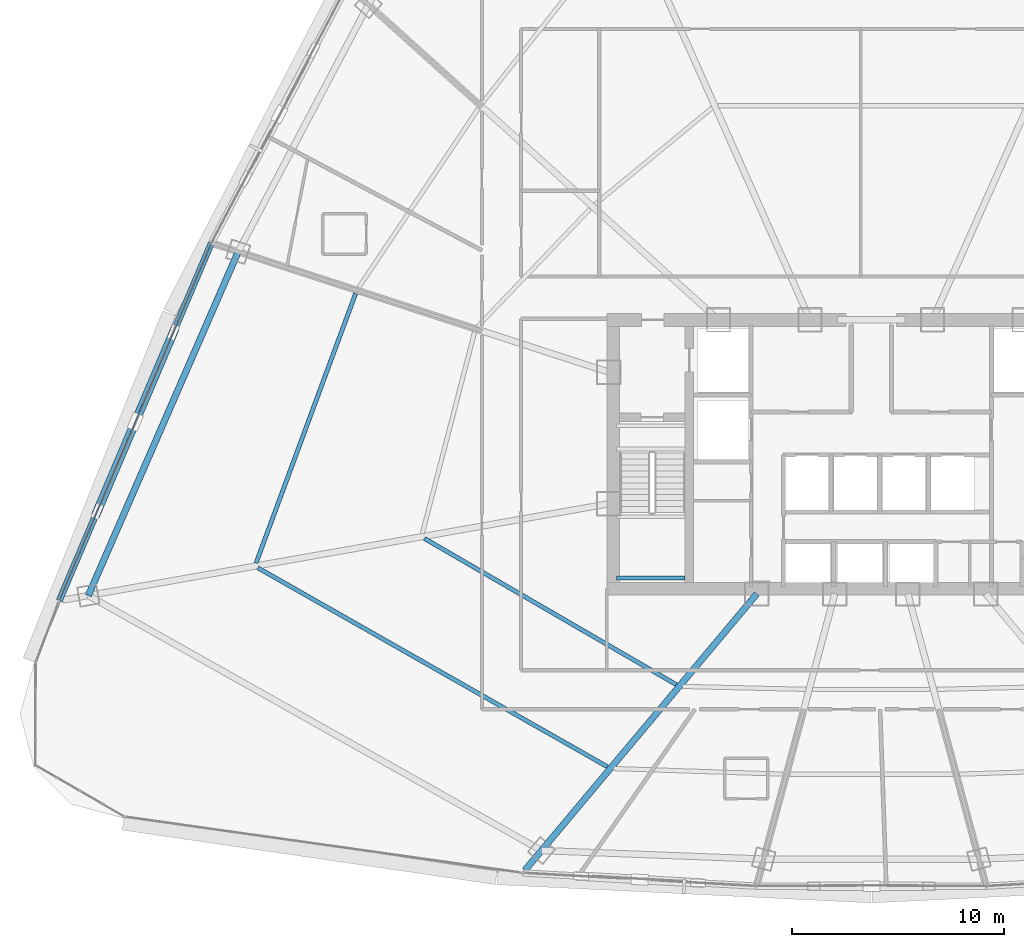
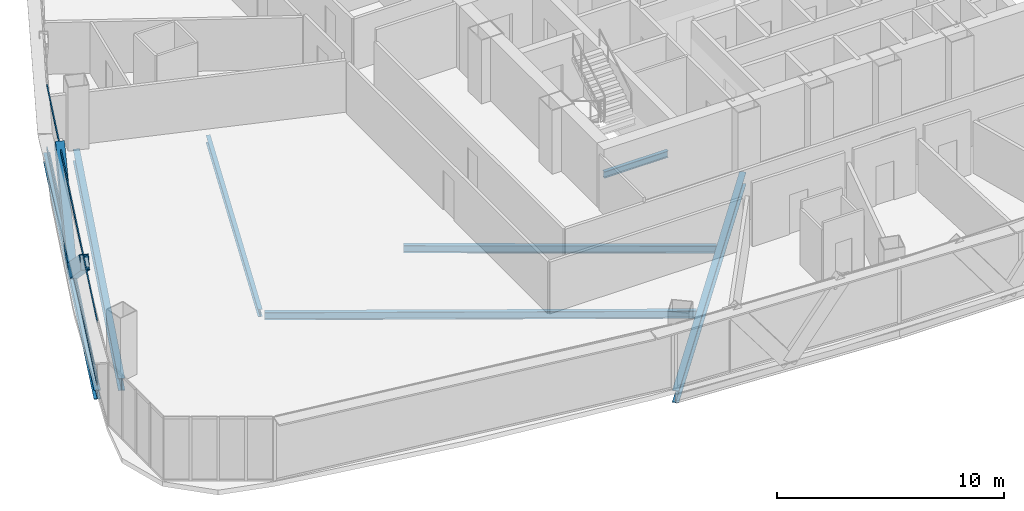
# One storey, part 7 of 42: 7 beams, 4 members, 1 element without a shape of its own.
"""IFC4 building model written with IfcOpenShell, lengths in metres."""

from ifc_helpers import new_model, si_unit, direction, frame, origin, origin_2d, place, context, subcontext, project, spatial, hollow_rectangle, i_section, extrude, source, transform, mapped, material, layer, layer_set, material_profile, profile_set, type_object, element, aggregate, save


model = new_model("IFC4")

# Units and contexts
model_context = context("Model", 3, precision=1e-05, world=origin(), true_north=direction((0.0, 1.0)))
body_context = subcontext(model_context, "Body", "Model", "MODEL_VIEW")
ifc_project = project(units=[si_unit("LENGTHUNIT", "METRE"), si_unit("AREAUNIT", "SQUARE_METRE"), si_unit("VOLUMEUNIT", "CUBIC_METRE"), si_unit("PLANEANGLEUNIT", "RADIAN"), si_unit("MASSUNIT", "GRAM", prefix="KILO"), si_unit("THERMODYNAMICTEMPERATUREUNIT", "KELVIN"), si_unit("POWERUNIT", "WATT")], contexts=[model_context])

# Site, building, storey
site_placement = place(None, origin())
site = spatial("IfcSite", under=ifc_project, at=site_placement, CompositionType="ELEMENT")
building_placement = place(site_placement, origin())
building = spatial("IfcBuilding", under=site, at=building_placement, Name="Yunzhuo Pagoda Commons", CompositionType="ELEMENT")
storey_placement = place(building_placement, frame((0.0, 0.0, 151.909912109375)))
storey = spatial("IfcBuildingStorey", under=building, at=storey_placement, Name="L38", CompositionType="ELEMENT", Elevation=151.909912109375)

# Beams
ifc_material_1 = material(Name="Structural steel Q355B", Category="steel")
ifc_material_profile_1 = material_profile(ifc_material_1, i_section(OverallWidth=0.175048828125, OverallDepth=0.35009765625, WebThickness=0.007080078125, FlangeThickness=0.010986328125, at=origin_2d()), Name="Structural steel Q355B")
ifc_profile_set_1 = profile_set([ifc_material_profile_1], Name="Structural steel Q355B")
beam_type_1 = type_object("IfcBeamType", Name="B-JS2 Joist HN 350x175x7x11", PredefinedType="JOIST", material=ifc_profile_set_1)
shared_shape_1 = source(origin(), body_context, "Body", "SweptSolid", [
    extrude(i_section(OverallWidth=0.175048828125, OverallDepth=0.35009765625, WebThickness=0.007080078125, FlangeThickness=0.010986328125, at=origin_2d()), origin(), (0.0, 0.0, 1.0), 3.25),
])
beam_1_placement = place(storey_placement, frame((35.949951171875, 28.0, 1.465087890625), z_axis=(1.0, 0.0, 0.0), x_axis=(0.0, 1.0, 0.0)))
element("IfcBeam", 1, at=beam_1_placement, inside=storey, type_object=beam_type_1, Name="L38 ST1 landing support beam 44A", PredefinedType="JOIST", context=body_context, shape_type="MappedRepresentation", body=[
    mapped(shared_shape_1, transform((0.0, 0.0, 0.0), scale=1.0)),
])
ifc_material_profile_2 = material_profile(ifc_material_1, i_section(OverallWidth=0.199951171875, OverallDepth=0.39990234375, WebThickness=0.008056640625, FlangeThickness=0.012939453125, at=origin_2d()), Name="Structural steel Q355B")
ifc_profile_set_2 = profile_set([ifc_material_profile_2], Name="Structural steel Q355B")
beam_type_2 = type_object("IfcBeamType", Name="B-JS1 Joist HN 400x200x8x13", PredefinedType="JOIST", material=ifc_profile_set_2)
shared_shape_2 = source(origin(), body_context, "Body", "SweptSolid", [
    extrude(i_section(OverallWidth=0.199951171875, OverallDepth=0.39990234375, WebThickness=0.008056640625, FlangeThickness=0.012939453125, at=origin_2d()), origin(), (0.0, 0.0, 1.0), 13.76416015625),
])
beam_2_placement = place(storey_placement, frame((26.882568359375, 29.87255859375, -0.4599609375), z_axis=(0.864967288101, -0.501828248025, 0.0), x_axis=(0.501828248025, 0.864967288101, 0.0)))
element("IfcBeam", 2, at=beam_2_placement, inside=storey, type_object=beam_type_2, Name="L38 composite ring joist 1.12", PredefinedType="JOIST", context=body_context, shape_type="MappedRepresentation", body=[
    mapped(shared_shape_2, transform((0.0, 0.0, 0.0), scale=1.0)),
])
shared_shape_3 = source(origin(), body_context, "Body", "SweptSolid", [
    extrude(i_section(OverallWidth=0.199951171875, OverallDepth=0.39990234375, WebThickness=0.008056640625, FlangeThickness=0.012939453125, at=origin_2d()), origin(), (0.0, 0.0, 1.0), 19.007568359375),
])
beam_3_placement = place(storey_placement, frame((19.01220703125, 28.485595703125, -0.4599609375), z_axis=(0.869119947472, -0.494601371718, 0.0), x_axis=(0.494601371718, 0.869119947472, 0.0)))
element("IfcBeam", 3, at=beam_3_placement, inside=storey, type_object=beam_type_2, Name="L38 composite ring joist 2.12", PredefinedType="JOIST", context=body_context, shape_type="MappedRepresentation", body=[
    mapped(shared_shape_3, transform((0.0, 0.0, 0.0), scale=1.0)),
])
ifc_material_profile_3 = material_profile(ifc_material_1, i_section(OverallWidth=0.300048828125, OverallDepth=0.64990234375, WebThickness=0.012939453125, FlangeThickness=0.02197265625, at=origin_2d()), Name="Structural steel Q355B")
ifc_profile_set_3 = profile_set([ifc_material_profile_3], Name="Structural steel Q355B")
beam_type_3 = type_object("IfcBeamType", Name="B-RG2 Beam HN 650x300x13x22", PredefinedType="BEAM", material=ifc_profile_set_3)
shared_shape_4 = source(origin(), body_context, "Body", "SweptSolid", [
    extrude(i_section(OverallWidth=0.300048828125, OverallDepth=0.64990234375, WebThickness=0.012939453125, FlangeThickness=0.02197265625, at=origin_2d()), origin(), (0.0, 0.0, 1.0), 17.72021484375),
])
beam_4_placement = place(storey_placement, frame((18.084716796875, 43.420166015625, -0.5849609375), z_axis=(-0.399643307961, -0.916670729544, 0.0), x_axis=(0.916670729544, -0.399643307961, 0.0)))
element("IfcBeam", 4, at=beam_4_placement, inside=storey, type_object=beam_type_3, Name="L38 column-ring beam 11", PredefinedType="BEAM", context=body_context, shape_type="MappedRepresentation", body=[
    mapped(shared_shape_4, transform((0.0, 0.0, 0.0), scale=1.0)),
])
shared_shape_5 = source(origin(), body_context, "Body", "SweptSolid", [
    extrude(i_section(OverallWidth=0.199951171875, OverallDepth=0.39990234375, WebThickness=0.008056640625, FlangeThickness=0.012939453125, at=origin_2d()), origin(), (0.0, 0.0, 1.0), 13.577880859375),
])
beam_5_placement = place(storey_placement, frame((23.634765625, 41.44970703125, -0.4599609375), z_axis=(-0.3465634723, -0.938026523968, 0.0), x_axis=(0.938026523968, -0.3465634723, 0.0)))
element("IfcBeam", 5, at=beam_5_placement, inside=storey, type_object=beam_type_2, Name="L38 composite ring joist 2.11", PredefinedType="JOIST", context=body_context, shape_type="MappedRepresentation", body=[
    mapped(shared_shape_5, transform((0.0, 0.0, 0.0), scale=1.0)),
])
shared_shape_6 = source(origin(), body_context, "Body", "SweptSolid", [
    extrude(i_section(OverallWidth=0.300048828125, OverallDepth=0.64990234375, WebThickness=0.012939453125, FlangeThickness=0.02197265625, at=origin_2d()), origin(), (0.0, 0.0, 1.0), 17.05224609375),
])
beam_6_placement = place(storey_placement, frame((31.626708984375, 14.187255859375, -0.5849609375), z_axis=(0.642795794804, 0.766037574916, 0.0), x_axis=(-0.766037574916, 0.642795794804, 0.0)))
element("IfcBeam", 6, at=beam_6_placement, inside=storey, type_object=beam_type_3, Name="L38 radial floor girder F1C1", PredefinedType="BEAM", context=body_context, shape_type="MappedRepresentation", body=[
    mapped(shared_shape_6, transform((0.0, 0.0, 0.0), scale=1.0)),
])
ifc_material_profile_4 = material_profile(ifc_material_1, i_section(OverallWidth=0.300048828125, OverallDepth=0.488037109375, WebThickness=0.010986328125, FlangeThickness=0.01806640625, at=origin_2d()), Name="Structural steel Q355B")
ifc_profile_set_4 = profile_set([ifc_material_profile_4], Name="Structural steel Q355B")
beam_type_4 = type_object("IfcBeamType", Name="B-SP1 Beam HM 488x300x11x18", PredefinedType="BEAM", material=ifc_profile_set_4)
shared_shape_7 = source(origin(), body_context, "Body", "SweptSolid", [
    extrude(i_section(OverallWidth=0.300048828125, OverallDepth=0.488037109375, WebThickness=0.010986328125, FlangeThickness=0.01806640625, at=origin_2d()), origin(), (0.0, 0.0, 1.0), 18.362548828125),
])
beam_7_placement = place(storey_placement, frame((16.817138671875, 43.831787109375, -0.50390625), z_axis=(-0.391409773714, -0.920216490312, 0.0), x_axis=(0.920216490312, -0.391409773714, 0.0)))
element("IfcBeam", 7, at=beam_7_placement, inside=storey, type_object=beam_type_4, Name="L38 facade edge spandrel beam F3.3", PredefinedType="BEAM", context=body_context, shape_type="MappedRepresentation", body=[
    mapped(shared_shape_7, transform((0.0, 0.0, 0.0), scale=1.0)),
])

# Members
ifc_material_profile_5 = material_profile(ifc_material_1, hollow_rectangle(XDim=0.39990234375, YDim=0.719970703125, WallThickness=0.02392578125, at=origin_2d()), Name="Structural steel Q355B")
ifc_profile_set_5 = profile_set([ifc_material_profile_5], Name="Structural steel Q355B")
member_type_1 = type_object("IfcMemberType", Name="M-DL2 Brace BOX 720x400x24", PredefinedType="BRACE", material=ifc_profile_set_5)
shared_shape_8 = source(origin(), body_context, "Body", "SweptSolid", [
    extrude(hollow_rectangle(XDim=0.39990234375, YDim=0.719970703125, WallThickness=0.02392578125, at=origin_2d()), origin(), (0.0, 0.0, 1.0), 5.8837890625),
])
member_1_placement = place(storey_placement, frame((13.223388671875, 35.383056640625, -0.260009765625), z_axis=(0.305437365896, 0.717970756975, 0.625480621317), x_axis=(-0.920192545015, 0.391466065067, 0.0)))
element("IfcMember", 8, at=member_1_placement, inside=storey, type_object=member_type_1, Name="L38 facade diamond brace F3.3L", PredefinedType="BRACE", context=body_context, shape_type="MappedRepresentation", body=[
    mapped(shared_shape_8, transform((0.0, 0.0, 0.0), scale=1.0)),
])
shared_shape_9 = source(origin(), body_context, "Body", "SweptSolid", [
    extrude(hollow_rectangle(XDim=0.39990234375, YDim=0.719970703125, WallThickness=0.02392578125, at=origin_2d()), origin(), (0.0, 0.0, 1.0), 5.883544921875),
])
member_2_placement = place(storey_placement, frame((13.223388671875, 35.383056640625, -0.260009765625), z_axis=(-0.305362117142, -0.717988954058, 0.625496474223), x_axis=(0.920230856435, -0.391375996793, 0.0)))
element("IfcMember", 9, at=member_2_placement, inside=storey, type_object=member_type_1, Name="L38 facade diamond brace F3.3R", PredefinedType="BRACE", context=body_context, shape_type="MappedRepresentation", body=[
    mapped(shared_shape_9, transform((0.0, 0.0, 0.0), scale=1.0)),
])

# Curtain wall, members
ifc_material_2 = material(Name="Anodized aluminium 6063-T6", Category="aluminium")
ifc_layer = layer(ifc_material_2, 0.14990234375)
ifc_layer_set = layer_set([ifc_layer], Name="Anodized aluminium 6063-T6")
curtain_wall_type = type_object("IfcCurtainWallType", Name="CW-MID Mid-Zone Ribbon Curtain Wall", PredefinedType="NOTDEFINED", material=ifc_layer_set)
curtain_wall_placement = place(storey_placement, origin())
curtain_wall = element("IfcCurtainWall", 10, at=curtain_wall_placement, inside=storey, type_object=curtain_wall_type, Name="L38 curtain wall CW-L38-F3B4", PredefinedType="NOTDEFINED")
ifc_material_profile_6 = material_profile(ifc_material_2, hollow_rectangle(XDim=0.054931640625, YDim=0.1298828125, WallThickness=0.00341796875, at=origin_2d()), Name="Anodized aluminium 6063-T6")
ifc_profile_set_6 = profile_set([ifc_material_profile_6], Name="Anodized aluminium 6063-T6")
member_type_2 = type_object("IfcMemberType", Name="CW-MID-T Transom RHS 130x55x3.5", PredefinedType="USERDEFINED", material=ifc_profile_set_6)
shared_shape_10 = source(origin(), body_context, "Body", "SweptSolid", [
    extrude(hollow_rectangle(XDim=0.054931640625, YDim=0.1298828125, WallThickness=0.00341796875, at=origin_2d()), origin(), (0.0, 0.0, 1.0), 18.24267578125),
])
member_3_placement = place(storey_placement, frame((16.793701171875, 43.776611328125, 0.027587890625), z_axis=(-0.391412675822, -0.920215255908, 0.0), x_axis=(0.920215255908, -0.391412675822, 0.0)))
member_3 = element("IfcMember", 11, at=member_3_placement, type_object=member_type_2, Name="CW transom 1.1", ObjectType="TRANSOM", PredefinedType="USERDEFINED", context=body_context, shape_type="MappedRepresentation", body=[
    mapped(shared_shape_10, transform((0.0, 0.0, 0.0), scale=1.0)),
])
member_4_placement = place(storey_placement, frame((16.793701171875, 43.776611328125, 3.392578125), z_axis=(-0.391412675822, -0.920215255908, 0.0), x_axis=(0.920215255908, -0.391412675822, 0.0)))
member_4 = element("IfcMember", 12, at=member_4_placement, type_object=member_type_2, Name="CW transom 1.2", ObjectType="TRANSOM", PredefinedType="USERDEFINED", context=body_context, shape_type="MappedRepresentation", body=[
    mapped(shared_shape_10, transform((0.0, 0.0, 0.0), scale=1.0)),
])
aggregate(curtain_wall, [member_3, member_4])

save(model, "model.ifc")
